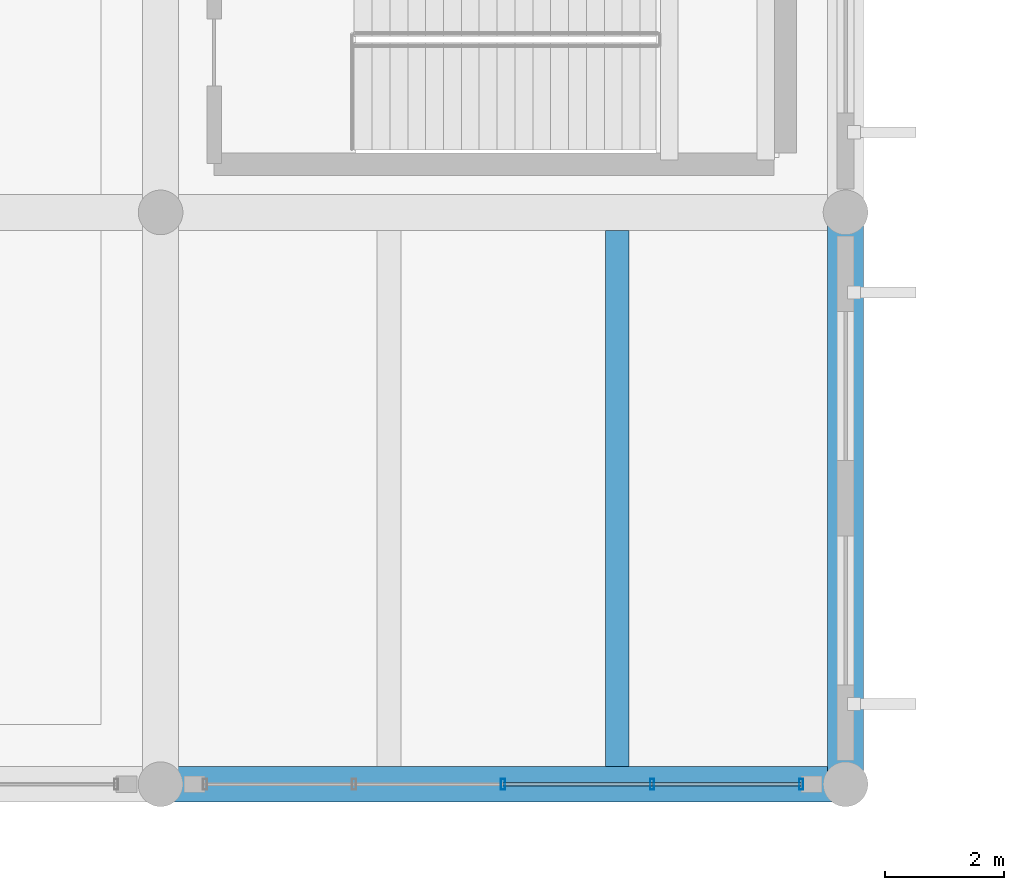
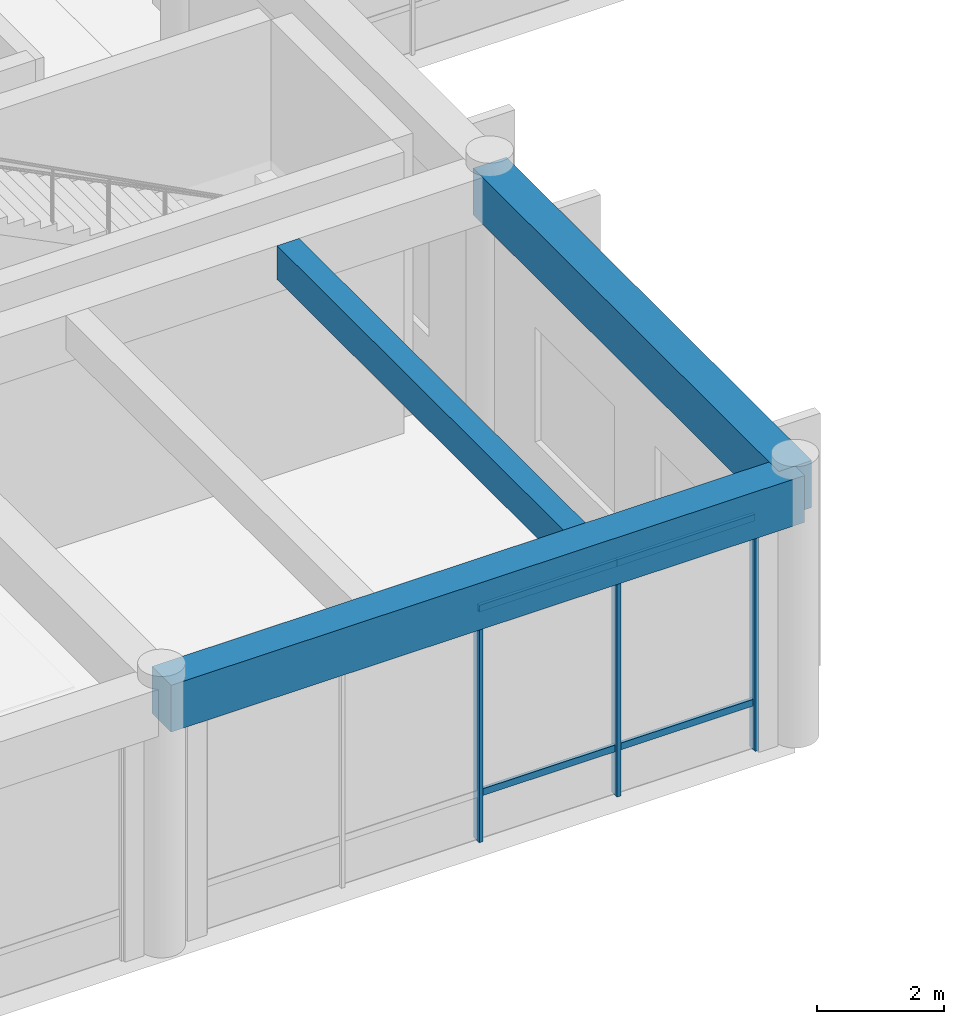
# One storey, part 40 of 148: 7 members, 3 beams, 1 element without a shape of its own.
"""IFC4 building model written with IfcOpenShell, lengths in metres."""

from ifc_helpers import new_model, si_unit, direction, frame, origin, origin_2d, place, context, subcontext, project, spatial, rectangle, hollow_rectangle, extrude, material, material_profile, profile_set, type_object, element, aggregate, save


model = new_model("IFC4")

# Units and contexts
model_context = context("Model", 3, precision=1e-05, world=origin(), true_north=direction((0.0, 1.0)))
body_context = subcontext(model_context, "Body", "Model", "MODEL_VIEW")
ifc_project = project(units=[si_unit("LENGTHUNIT", "METRE"), si_unit("AREAUNIT", "SQUARE_METRE"), si_unit("VOLUMEUNIT", "CUBIC_METRE"), si_unit("PLANEANGLEUNIT", "RADIAN"), si_unit("MASSUNIT", "GRAM", prefix="KILO")], contexts=[model_context])

# Site, building, storey
site_placement = place(None, origin())
site = spatial("IfcSite", under=ifc_project, at=site_placement, CompositionType="ELEMENT")
building_placement = place(site_placement, origin())
building = spatial("IfcBuilding", under=site, at=building_placement, Name="Ologun Quay Terminus", CompositionType="ELEMENT")
storey_placement = place(building_placement, frame((0.0, 0.0, 8.39990234375)))
storey = spatial("IfcBuildingStorey", under=building, at=storey_placement, Name="L02", CompositionType="ELEMENT", Elevation=8.39990234375)

# Curtain wall, members
ifc_material_1 = material(Name="Aluminium 6063-T6", Category="aluminium")
curtain_wall_type = type_object("IfcCurtainWallType", Name="Concourse Departure Curtain Wall 10700x4950", PredefinedType="USERDEFINED", material=ifc_material_1)
curtain_wall_placement = place(storey_placement, origin())
curtain_wall = element("IfcCurtainWall", 1, at=curtain_wall_placement, inside=storey, type_object=curtain_wall_type, Name="CW-05 Curtain Wall CW-L02-029", ObjectType="UNITISED CURTAIN WALL", PredefinedType="USERDEFINED")
ifc_material_2 = material(Name="Aluminium 6063-T6", Category="aluminium")
ifc_material_profile_1 = material_profile(ifc_material_2, hollow_rectangle(XDim=0.070068359375, YDim=0.179931640625, WallThickness=0.0048828125, at=origin_2d()), Name="ALU 180x70x5")
ifc_profile_set_1 = profile_set([ifc_material_profile_1], Name="Aluminium 6063-T6")
member_type_1 = type_object("IfcMemberType", Name="Curtain Wall Heavy Mullion 180x70", PredefinedType="MULLION", material=ifc_profile_set_1)
member_1_placement = place(storey_placement, frame((120.75, 8.0, 0.0), z_axis=(0.0, 0.0, 1.0), x_axis=(1.0, 0.0, 0.0)))
member_1 = element("IfcMember", 2, at=member_1_placement, type_object=member_type_1, Name="CW-L02-029 Mullion 3", PredefinedType="MULLION", context=body_context, shape_type="SweptSolid", body=[
    extrude(hollow_rectangle(XDim=0.070068359375, YDim=0.179931640625, WallThickness=0.0048828125, at=origin_2d()), origin(), (0.0, 0.0, 1.0), 5.14013671875),
])
member_2_placement = place(storey_placement, frame((123.25244140625, 8.0, 0.0), z_axis=(0.0, 0.0, 1.0), x_axis=(1.0, 0.0, 0.0)))
member_2 = element("IfcMember", 3, at=member_2_placement, type_object=member_type_1, Name="CW-L02-029 Mullion 4", PredefinedType="MULLION", context=body_context, shape_type="SweptSolid", body=[
    extrude(hollow_rectangle(XDim=0.070068359375, YDim=0.179931640625, WallThickness=0.0048828125, at=origin_2d()), origin(), (0.0, 0.0, 1.0), 5.14013671875),
])
member_3_placement = place(storey_placement, frame((125.7548828125, 8.0, 0.0), z_axis=(0.0, 0.0, 1.0), x_axis=(1.0, 0.0, 0.0)))
member_3 = element("IfcMember", 4, at=member_3_placement, type_object=member_type_1, Name="CW-L02-029 Mullion 5", PredefinedType="MULLION", context=body_context, shape_type="SweptSolid", body=[
    extrude(hollow_rectangle(XDim=0.070068359375, YDim=0.179931640625, WallThickness=0.0048828125, at=origin_2d()), origin(), (0.0, 0.0, 1.0), 5.14013671875),
])
ifc_material_3 = material(Name="Aluminium 6063-T6", Category="aluminium")
ifc_material_profile_2 = material_profile(ifc_material_3, hollow_rectangle(XDim=0.06005859375, YDim=0.1298828125, WallThickness=0.00390625, at=origin_2d()), Name="ALU 130x60x4")
ifc_profile_set_2 = profile_set([ifc_material_profile_2], Name="Aluminium 6063-T6")
member_type_2 = type_object("IfcMemberType", Name="Curtain Wall Heavy Transom 130x60", PredefinedType="USERDEFINED", material=ifc_profile_set_2)
member_4_placement = place(storey_placement, frame((120.75, 8.0, 0.900146484375), z_axis=(1.0, 0.0, 0.0), x_axis=(0.0, 1.0, 0.0)))
member_4 = element("IfcMember", 5, at=member_4_placement, type_object=member_type_2, Name="CW-L02-029 Transom B3-1", ObjectType="TRANSOM", PredefinedType="USERDEFINED", context=body_context, shape_type="SweptSolid", body=[
    extrude(hollow_rectangle(XDim=0.06005859375, YDim=0.1298828125, WallThickness=0.00390625, at=origin_2d()), origin(), (0.0, 0.0, 1.0), 2.50244140625),
])
member_5_placement = place(storey_placement, frame((120.75, 8.0, 4.440185546875), z_axis=(1.0, 0.0, 0.0), x_axis=(0.0, 1.0, 0.0)))
member_5 = element("IfcMember", 6, at=member_5_placement, type_object=member_type_2, Name="CW-L02-029 Transom B3-2", ObjectType="TRANSOM", PredefinedType="USERDEFINED", context=body_context, shape_type="SweptSolid", body=[
    extrude(hollow_rectangle(XDim=0.06005859375, YDim=0.1298828125, WallThickness=0.00390625, at=origin_2d()), origin(), (0.0, 0.0, 1.0), 2.50244140625),
])
member_6_placement = place(storey_placement, frame((123.25244140625, 8.0, 0.900146484375), z_axis=(1.0, 0.0, 0.0), x_axis=(0.0, 1.0, 0.0)))
member_6 = element("IfcMember", 7, at=member_6_placement, type_object=member_type_2, Name="CW-L02-029 Transom B4-1", ObjectType="TRANSOM", PredefinedType="USERDEFINED", context=body_context, shape_type="SweptSolid", body=[
    extrude(hollow_rectangle(XDim=0.06005859375, YDim=0.1298828125, WallThickness=0.00390625, at=origin_2d()), origin(), (0.0, 0.0, 1.0), 2.50244140625),
])
member_7_placement = place(storey_placement, frame((123.25244140625, 8.0, 4.440185546875), z_axis=(1.0, 0.0, 0.0), x_axis=(0.0, 1.0, 0.0)))
member_7 = element("IfcMember", 8, at=member_7_placement, type_object=member_type_2, Name="CW-L02-029 Transom B4-2", ObjectType="TRANSOM", PredefinedType="USERDEFINED", context=body_context, shape_type="SweptSolid", body=[
    extrude(hollow_rectangle(XDim=0.06005859375, YDim=0.1298828125, WallThickness=0.00390625, at=origin_2d()), origin(), (0.0, 0.0, 1.0), 2.50244140625),
])
aggregate(curtain_wall, [member_1, member_2, member_3, member_4, member_5, member_6, member_7])

# Beams
ifc_material_4 = material(Name="Concrete C40/50", Category="concrete")
ifc_material_profile_3 = material_profile(ifc_material_4, rectangle(XDim=0.60009765625, YDim=0.89990234375, at=origin_2d()), Name="RC 600x900")
ifc_profile_set_3 = profile_set([ifc_material_profile_3], Name="Concrete C40/50")
beam_type_1 = type_object("IfcBeamType", Name="Station Frame Girder 600x900", PredefinedType="BEAM", material=ifc_profile_set_3)
beam_1_placement = place(storey_placement, frame((115.0, 8.0, 4.7001953125), z_axis=(1.0, 0.0, 0.0), x_axis=(0.0, 1.0, 0.0)))
element("IfcBeam", 9, at=beam_1_placement, inside=storey, type_object=beam_type_1, Name="B3 Beam 11/B L02", PredefinedType="BEAM", context=body_context, shape_type="SweptSolid", body=[
    extrude(rectangle(XDim=0.60009765625, YDim=0.89990234375, at=origin_2d()), origin(), (0.0, 0.0, 1.0), 11.5),
])
beam_2_placement = place(storey_placement, frame((126.5, 8.0, 4.7001953125), z_axis=(0.0, 1.0, 0.0), x_axis=(-1.0, 0.0, 0.0)))
element("IfcBeam", 10, at=beam_2_placement, inside=storey, type_object=beam_type_1, Name="B3 Beam 12/B L02", PredefinedType="BEAM", context=body_context, shape_type="SweptSolid", body=[
    extrude(rectangle(XDim=0.60009765625, YDim=0.89990234375, at=origin_2d()), origin(), (0.0, 0.0, 1.0), 9.60009765625),
])
ifc_material_5 = material(Name="Concrete C40/50", Category="concrete")
ifc_material_profile_4 = material_profile(ifc_material_5, rectangle(XDim=0.39990234375, YDim=0.64990234375, at=origin_2d()), Name="RC 400x650")
ifc_profile_set_4 = profile_set([ifc_material_profile_4], Name="Concrete C40/50")
beam_type_2 = type_object("IfcBeamType", Name="Station Secondary Joist 400x650", PredefinedType="JOIST", material=ifc_profile_set_4)
beam_3_placement = place(storey_placement, frame((122.666748046875, 8.300048828125, 4.8251953125), z_axis=(0.0, 1.0, 0.0), x_axis=(-1.0, 0.0, 0.0)))
element("IfcBeam", 11, at=beam_3_placement, inside=storey, type_object=beam_type_2, Name="J1 Beam 11/B L02", PredefinedType="JOIST", context=body_context, shape_type="SweptSolid", body=[
    extrude(rectangle(XDim=0.39990234375, YDim=0.64990234375, at=origin_2d()), origin(), (0.0, 0.0, 1.0), 9.0),
])

save(model, "model.ifc")
